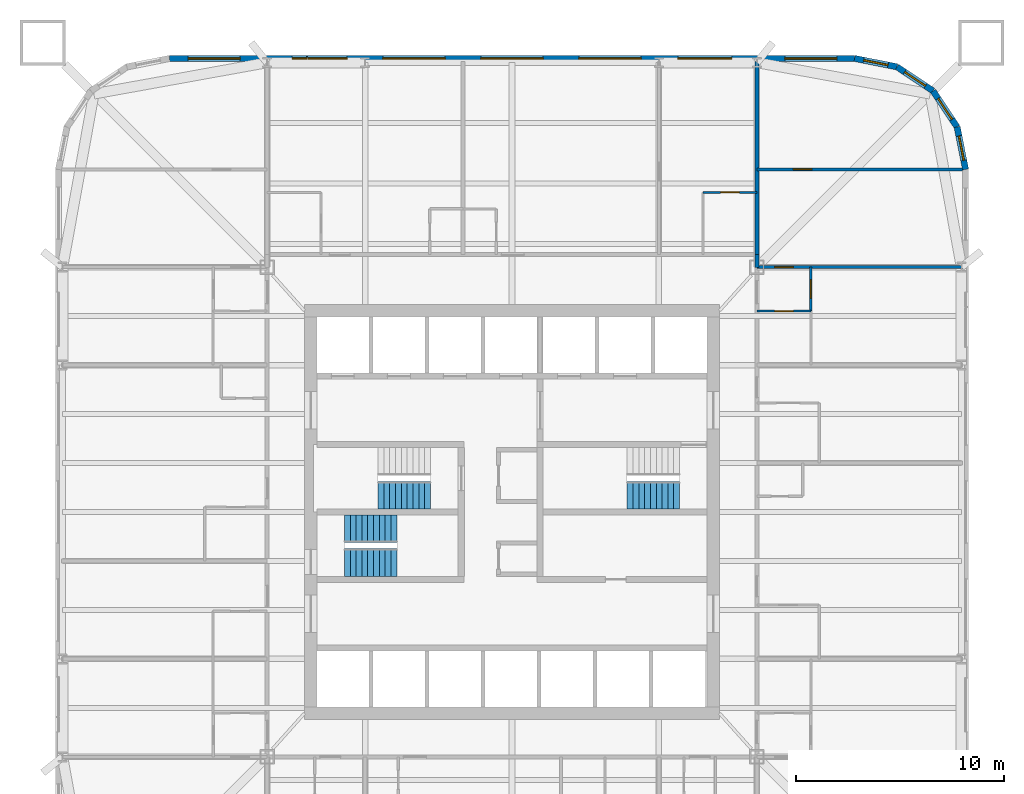
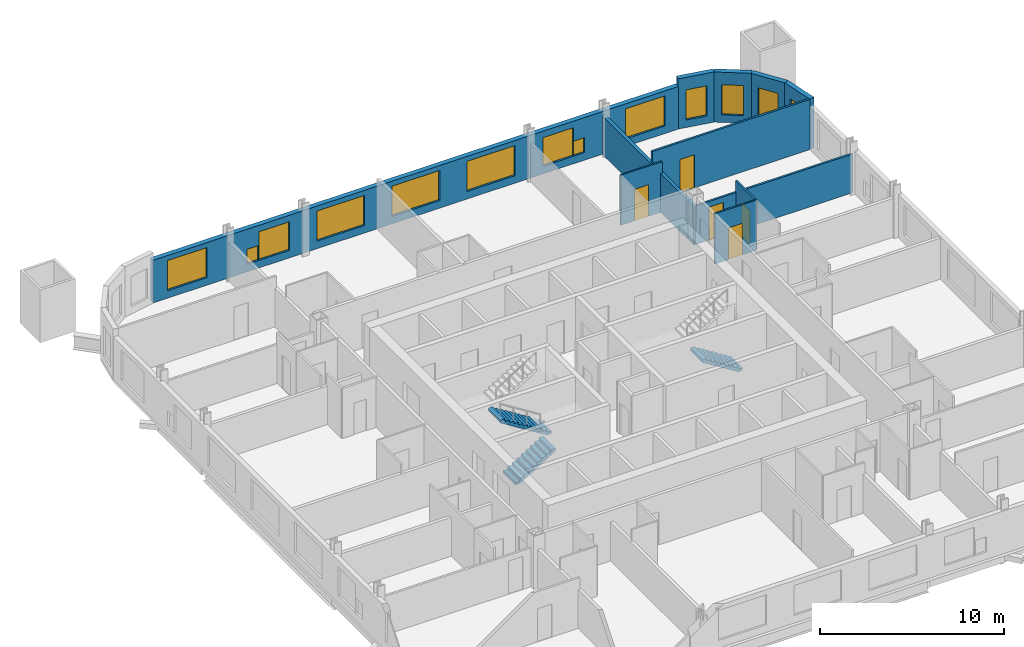
# One storey, part 8 of 10: 13 windows, 12 walls, 5 doors, 4 stair flights, 18 openings, 3 elements without a shape of their own.
"""IFC4 building model written with IfcOpenShell, lengths in metres."""

import ifcopenshell
import ifcopenshell.guid

model = None  # the IFC model being written
_history = None  # IfcOwnerHistory: only IFC2X3 demands one
_inside = {}  # id of a spatial element -> (the spatial element, [elements in it])
_under = {}  # id of a project, library or spatial element -> (it, [spatial elements below it])
_declared = {}  # id of a project -> (the project, [libraries it declares])
_typed = {}  # id of a type object -> (the type object, [elements of that type])
_made_of = {}  # id of a material, layer set ... -> (it, [elements and type objects made of it])


def new_model(schema):
    """Start an empty IFC model of exactly this schema.

    Asked for "IFC4X3", IfcOpenShell would pick the latest addendum, in which some entities
    have other attributes; the version numbers below select the first issue.
    IFC2X3 requires an IfcOwnerHistory on every rooted entity: one is made here for all.
    """
    global model, _history
    if schema == "IFC4X3":
        model = ifcopenshell.file(schema_version=(4, 3, 0, 0))
    else:
        model = ifcopenshell.file(schema=schema)
    _inside.clear()
    _under.clear()
    _declared.clear()
    _typed.clear()
    _made_of.clear()
    _history = None
    if model.schema == "IFC2X3":
        org = make("IfcOrganization", Name="unknown")
        user = make(
            "IfcPersonAndOrganization",
            ThePerson=make("IfcPerson", FamilyName="unknown"),
            TheOrganization=org,
        )
        app = make(
            "IfcApplication",
            ApplicationDeveloper=org,
            Version="unknown",
            ApplicationFullName="unknown",
            ApplicationIdentifier="unknown",
        )
        _history = make(
            "IfcOwnerHistory",
            OwningUser=user,
            OwningApplication=app,
            ChangeAction="ADDED",
            CreationDate=0,
        )
    return model


def make(cls, **values):
    """One entity of the class cls with the attributes given. An attribute that is None is left unset."""
    return model.create_entity(
        cls, **{name: value for name, value in values.items() if value is not None}
    )


def rooted(cls, **values):
    """An entity with a GlobalId (a new one), such as an element, a storey or a relation."""
    return make(cls, GlobalId=ifcopenshell.guid.new(), OwnerHistory=_history, **values)


def si_unit(unit_type, name, prefix=None):
    """IfcSIUnit, for example si_unit("LENGTHUNIT", "METRE", prefix="MILLI")."""
    return make("IfcSIUnit", UnitType=unit_type, Prefix=prefix, Name=name)


def assignment(units):
    """IfcUnitAssignment: the units of a project."""
    return None if units is None else make("IfcUnitAssignment", Units=units)


def point(xyz):
    """IfcCartesianPoint."""
    return None if xyz is None else make("IfcCartesianPoint", Coordinates=xyz)


def direction(xyz):
    """IfcDirection."""
    return None if xyz is None else make("IfcDirection", DirectionRatios=xyz)


def frame(location, z_axis=None, x_axis=None):
    """IfcAxis2Placement3D, a coordinate frame: its origin and axes. An axis left out is left unset."""
    return make(
        "IfcAxis2Placement3D",
        Location=point(location),
        Axis=direction(z_axis),
        RefDirection=direction(x_axis),
    )


def frame_2d(location, x_axis=None):
    """IfcAxis2Placement2D, a coordinate frame in the plane: its origin and x axis."""
    return make(
        "IfcAxis2Placement2D", Location=point(location), RefDirection=direction(x_axis)
    )


def origin():
    """The frame at (0, 0, 0) with its axes left unset."""
    return frame((0.0, 0.0, 0.0))


def place(relative_to, where):
    """IfcLocalPlacement: puts the frame where relative to a parent placement (None: the world)."""
    return make(
        "IfcLocalPlacement", PlacementRelTo=relative_to, RelativePlacement=where
    )


def context(
    kind, dimensions, precision=None, world=None, true_north=None, identifier=None
):
    """IfcGeometricRepresentationContext, for example the 3D "Model" context."""
    return make(
        "IfcGeometricRepresentationContext",
        ContextIdentifier=identifier,
        ContextType=kind,
        CoordinateSpaceDimension=dimensions,
        Precision=precision,
        WorldCoordinateSystem=world,
        TrueNorth=true_north,
    )


def subcontext(parent, identifier, kind, view, scale=None):
    """IfcGeometricRepresentationSubContext, for example "Body" below "Model"."""
    return make(
        "IfcGeometricRepresentationSubContext",
        ContextIdentifier=identifier,
        ContextType=kind,
        ParentContext=parent,
        TargetScale=scale,
        TargetView=view,
    )


def project(units=None, contexts=None):
    """IfcProject with its units and contexts."""
    return rooted(
        "IfcProject",
        Name="project",
        RepresentationContexts=contexts,
        UnitsInContext=assignment(units),
    )


def spatial(cls, under=None, at=None, **own):
    """A site, building, storey or space (cls), placed at a placement, below another one or the project."""
    s = rooted(cls, ObjectPlacement=at, **own)
    if under is not None:
        _under.setdefault(under.id(), (under, []))[1].append(s)
    return s


def polyline(points):
    """IfcPolyline through the points."""
    return make("IfcPolyline", Points=[point(p) for p in points])


def profile(cls, at=None, kind="AREA", **sizes):
    """A parametric profile (cls). Its sizes go by their IFC names, for example OverallWidth=200.0."""
    return make(cls, ProfileType=kind, Position=at, **sizes)


def rectangle(**sizes):
    """IfcRectangleProfileDef."""
    return profile("IfcRectangleProfileDef", **sizes)


def outline(outer, holes=None, kind="AREA"):
    """IfcArbitraryClosedProfileDef: a profile drawn as a closed curve; with holes, ...WithVoids."""
    if holes is None:
        return make("IfcArbitraryClosedProfileDef", ProfileType=kind, OuterCurve=outer)
    return make(
        "IfcArbitraryProfileDefWithVoids",
        ProfileType=kind,
        OuterCurve=outer,
        InnerCurves=holes,
    )


def extrude(swept, where, along, depth):
    """IfcExtrudedAreaSolid: the profile swept, set in the frame where, extruded along a direction by depth."""
    return make(
        "IfcExtrudedAreaSolid",
        SweptArea=swept,
        Position=where,
        ExtrudedDirection=direction(along),
        Depth=depth,
    )


def shape(context_of_items, identifier, shape_type, items):
    """IfcShapeRepresentation: the items that make up one representation, for example the "Body"."""
    return make(
        "IfcShapeRepresentation",
        ContextOfItems=context_of_items,
        RepresentationIdentifier=identifier,
        RepresentationType=shape_type,
        Items=items,
    )


def material(Name=None, Category=None):
    """IfcMaterial."""
    return make("IfcMaterial", Name=Name, Category=Category)


def layer(
    of_material, thickness, ventilated=None, Name=None, Category=None, Priority=None
):
    """IfcMaterialLayer: one layer of a wall or slab, of a material (None: an air gap)."""
    return make(
        "IfcMaterialLayer",
        Material=of_material,
        LayerThickness=thickness,
        IsVentilated=ventilated,
        Name=Name,
        Category=Category,
        Priority=Priority,
    )


def layer_set(layers, Name=None):
    """IfcMaterialLayerSet."""
    return make("IfcMaterialLayerSet", MaterialLayers=layers, LayerSetName=Name)


def made_of(thing, what):
    """Note that an element or type object is made of a material, layer set ...; save() writes the relation."""
    if what is not None:
        _made_of.setdefault(what.id(), (what, []))[1].append(thing)
    return thing


def type_object(cls, material=None, **own):
    """A type object (cls), such as IfcWallType, which elements share."""
    return made_of(rooted(cls, **own), material)


def element(
    cls,
    number,
    at=None,
    inside=None,
    cuts=None,
    type_object=None,
    material=None,
    context=None,
    identifier="Body",
    shape_type=None,
    held_by="IfcProductDefinitionShape",
    body=None,
    shapes=None,
    **own,
):
    """One element of the class cls, such as IfcWall. Its Tag is "e" and its number.

    at: its placement. inside: the storey or other place that contains it. cuts: it is an
    opening in that element (IfcRelVoidsElement). A single representation is given by context,
    identifier, shape_type and body (its items); several are given by shapes. held_by: the class
    of the entity that holds the representations. save() writes the other relations.
    """
    e = rooted(cls, Tag="e%d" % number, ObjectPlacement=at, **own)
    if body is not None:
        shapes = [shape(context, identifier, shape_type, body)]
    if shapes is not None:
        e.Representation = make(held_by, Representations=shapes)
    if inside is not None:
        _inside.setdefault(inside.id(), (inside, []))[1].append(e)
    if cuts is not None:
        rooted(
            "IfcRelVoidsElement", RelatingBuildingElement=cuts, RelatedOpeningElement=e
        )
    if type_object is not None:
        _typed.setdefault(type_object.id(), (type_object, []))[1].append(e)
    return made_of(e, material)


def fill(opening, filler):
    """IfcRelFillsElement: the door or window that sits in an opening."""
    return rooted(
        "IfcRelFillsElement",
        RelatingOpeningElement=opening,
        RelatedBuildingElement=filler,
    )


def aggregate(whole, parts):
    """IfcRelAggregates: a whole, such as a stair, and the parts it consists of."""
    return rooted("IfcRelAggregates", RelatingObject=whole, RelatedObjects=parts)


def save(model, path):
    """Write the relations noted so far, then the file.

    IfcRelAggregates (storeys below a building ...), IfcRelContainedInSpatialStructure (elements
    in a storey), IfcRelDefinesByType, IfcRelAssociatesMaterial and IfcRelDeclares: one each for
    every whole, place, type object, material and project.
    """
    for whole, parts in _under.values():
        aggregate(whole, parts)
    for where, things in _inside.values():
        rooted(
            "IfcRelContainedInSpatialStructure",
            RelatedElements=things,
            RelatingStructure=where,
        )
    for kind, things in _typed.values():
        rooted("IfcRelDefinesByType", RelatedObjects=things, RelatingType=kind)
    for what, things in _made_of.values():
        rooted("IfcRelAssociatesMaterial", RelatedObjects=things, RelatingMaterial=what)
    for by, libraries in _declared.values():
        rooted("IfcRelDeclares", RelatingContext=by, RelatedDefinitions=libraries)
    model.write(path)


model = new_model("IFC4")

# Units and contexts
model_context = context("Model", 3, precision=1e-05, world=origin(), true_north=direction((0.0, 1.0)))
body_context = subcontext(model_context, "Body", "Model", "MODEL_VIEW")
ifc_project = project(units=[si_unit("LENGTHUNIT", "METRE"), si_unit("AREAUNIT", "SQUARE_METRE"), si_unit("VOLUMEUNIT", "CUBIC_METRE"), si_unit("PLANEANGLEUNIT", "RADIAN"), si_unit("MASSUNIT", "GRAM", prefix="KILO")], contexts=[model_context])

# Site, building, storey
site_placement = place(None, origin())
site = spatial("IfcSite", under=ifc_project, at=site_placement, CompositionType="ELEMENT")
building_placement = place(site_placement, origin())
building = spatial("IfcBuilding", under=site, at=building_placement, Name="Turquesa Mirador Hotel Tower", CompositionType="ELEMENT")
storey_placement = place(building_placement, frame((0.0, 0.0, 39.0)))
storey = spatial("IfcBuildingStorey", under=building, at=storey_placement, Name="L09", CompositionType="ELEMENT", Elevation=39.0)

# Wall, opening, door
ifc_material_1 = material(Name="Gypsum board on steel studs", Category="steel")
ifc_layer_1 = layer(ifc_material_1, 0.10009765625)
ifc_layer_set_1 = layer_set([ifc_layer_1], Name="BATHROOM WALL 100")
wall_type_1 = type_object("IfcWallType", Name="BATHROOM WALL 100", PredefinedType="PARTITIONING", material=ifc_layer_set_1)
wall_1_placement = place(storey_placement, frame((64.199951171875, 60.39990234375, 0.0), z_axis=(0.0, 0.0, 1.0), x_axis=(1.0, 0.0, 0.0)))
wall_1 = element("IfcWall", 1, at=wall_1_placement, inside=storey, type_object=wall_type_1, Name="Partition L09 026", PredefinedType="PARTITIONING", context=body_context, shape_type="SweptSolid", body=[
    extrude(rectangle(XDim=2.60009765625, YDim=0.10009765625, at=frame_2d((1.300048828125, 0.0))), origin(), (0.0, 0.0, 1.0), 3.330078125),
])
opening_1_placement = place(wall_1_placement, frame((0.85009765625, 0.0, 0.0)))
opening_1 = element("IfcOpeningElement", 2, at=opening_1_placement, cuts=wall_1, Name="Opening D02", PredefinedType="OPENING", context=body_context, shape_type="SweptSolid", body=[
    extrude(rectangle(XDim=0.89990234375, YDim=2.10009765625, at=frame_2d((0.449951171875, 1.050048828125))), frame((0.0, 0.06005859375, 0.0), z_axis=(0.0, -1.0, 0.0), x_axis=(1.0, 0.0, 0.0)), (0.0, 0.0, 1.0), 0.1201171875),
])
ifc_material_2 = material(Name="Timber veneered door", Category="wood")
door_type_1 = type_object("IfcDoorType", Name="DOOR 900X2100 EN-SUITE", OperationType="SINGLE_SWING_RIGHT", PredefinedType="DOOR", material=ifc_material_2)
door_1_placement = place(opening_1_placement, origin())
door_1 = element("IfcDoor", 3, at=door_1_placement, inside=storey, type_object=door_type_1, Name="Door 0902B", OperationType="SINGLE_SWING_RIGHT", OverallHeight=2.10009765625, OverallWidth=0.89990234375, PredefinedType="DOOR", context=body_context, shape_type="SweptSolid", body=[
    extrude(rectangle(XDim=0.89990234375, YDim=2.10009765625, at=frame_2d((0.449951171875, 1.050048828125))), frame((0.0, 0.02490234375, 0.0), z_axis=(0.0, -1.0, 0.0), x_axis=(1.0, 0.0, 0.0)), (0.0, 0.0, 1.0), 0.050048828125),
])
fill(opening_1, door_1)

wall_2_placement = place(storey_placement, frame((66.800048828125, 54.679931640625, 0.0), z_axis=(0.0, 0.0, 1.0), x_axis=(1.0, 0.0, 0.0)))
wall_2 = element("IfcWall", 4, at=wall_2_placement, inside=storey, type_object=wall_type_1, Name="Partition L09 035", PredefinedType="PARTITIONING", context=body_context, shape_type="SweptSolid", body=[
    extrude(rectangle(XDim=2.599853515625, YDim=0.10009765625, at=frame_2d((1.2998046875, 0.0))), origin(), (0.0, 0.0, 1.0), 3.330078125),
])
opening_2_placement = place(wall_2_placement, frame((0.85009765625, 0.0, 0.0)))
opening_2 = element("IfcOpeningElement", 5, at=opening_2_placement, cuts=wall_2, Name="Opening D02", PredefinedType="OPENING", context=body_context, shape_type="SweptSolid", body=[
    extrude(rectangle(XDim=0.89990234375, YDim=2.10009765625, at=frame_2d((0.449951171875, 1.050048828125))), frame((0.0, 0.06005859375, 0.0), z_axis=(0.0, -1.0, 0.0), x_axis=(1.0, 0.0, 0.0)), (0.0, 0.0, 1.0), 0.1201171875),
])
door_2_placement = place(opening_2_placement, origin())
door_2 = element("IfcDoor", 6, at=door_2_placement, inside=storey, type_object=door_type_1, Name="Door 0910B", OperationType="SINGLE_SWING_RIGHT", OverallHeight=2.10009765625, OverallWidth=0.89990234375, PredefinedType="DOOR", context=body_context, shape_type="SweptSolid", body=[
    extrude(rectangle(XDim=0.89990234375, YDim=2.10009765625, at=frame_2d((0.449951171875, 1.050048828125))), frame((0.0, 0.02490234375, 0.0), z_axis=(0.0, -1.0, 0.0), x_axis=(1.0, 0.0, 0.0)), (0.0, 0.0, 1.0), 0.050048828125),
])
fill(opening_2, door_2)

# Wall
ifc_material_3 = material(Name="Fire-rated gypsum board on steel studs", Category="steel")
ifc_layer_2 = layer(ifc_material_3, 0.199951171875)
ifc_layer_set_2 = layer_set([ifc_layer_2], Name="CORRIDOR WALL 200")
wall_type_2 = type_object("IfcWallType", Name="CORRIDOR WALL 200", PredefinedType="PARTITIONING", material=ifc_layer_set_2)
wall_3_placement = place(storey_placement, frame((66.800048828125, 56.780029296875, 0.0), z_axis=(0.0, 0.0, 1.0), x_axis=(0.0, 1.0, 0.0)))
element("IfcWall", 7, at=wall_3_placement, inside=storey, type_object=wall_type_2, Name="Partition L09 070", PredefinedType="PARTITIONING", context=body_context, shape_type="SweptSolid", body=[
    extrude(rectangle(XDim=0.619873046875, YDim=0.199951171875, at=frame_2d((0.31005859375, 0.0))), origin(), (0.0, 0.0, 1.0), 2.572998046875),
])

# Wall, opening, window
ifc_material_4 = material(Name="Limestone cladding on concrete block", Category="masonry")
ifc_layer_3 = layer(ifc_material_4, 0.300048828125)
ifc_layer_set_3 = layer_set([ifc_layer_3], Name="FACADE WALL 300 STONE SCREEN")
wall_type_3 = type_object("IfcWallType", Name="FACADE WALL 300 STONE SCREEN", PredefinedType="SOLIDWALL", material=ifc_layer_set_3)
wall_4_placement = place(storey_placement, frame((76.85009765625, 61.5, 0.0), z_axis=(0.0, 0.0, 1.0), x_axis=(-0.195081421501, 0.980787050784, 0.0)))
wall_4 = element("IfcWall", 8, at=wall_4_placement, inside=storey, type_object=wall_type_3, Name="Facade wall L09 05", PredefinedType="SOLIDWALL", context=body_context, shape_type="SweptSolid", body=[
    extrude(rectangle(XDim=2.08740234375, YDim=0.300048828125, at=frame_2d((1.043701171875, 0.0))), origin(), (0.0, 0.0, 1.0), 3.330078125),
])
opening_3_placement = place(wall_4_placement, frame((0.443603515625, 0.0, 0.5)))
opening_3 = element("IfcOpeningElement", 9, at=opening_3_placement, cuts=wall_4, Name="Opening WN4", PredefinedType="OPENING", context=body_context, shape_type="SweptSolid", body=[
    extrude(rectangle(XDim=1.199951171875, YDim=2.0, at=frame_2d((0.60009765625, 1.0))), frame((0.0, 0.159912109375, 0.0), z_axis=(0.0, -1.0, 0.0), x_axis=(1.0, 0.0, 0.0)), (0.0, 0.0, 1.0), 0.320068359375),
])
ifc_material_5 = material(Name="Ceramic-fritted laminated glass", Category="glass")
window_type_1 = type_object("IfcWindowType", Name="FRITTED CORNER WINDOW 1200X2000", PartitioningType="DOUBLE_PANEL_HORIZONTAL", PredefinedType="WINDOW", material=ifc_material_5)
window_1_placement = place(opening_3_placement, origin())
window_1 = element("IfcWindow", 10, at=window_1_placement, inside=storey, type_object=window_type_1, Name="Window L09", OverallHeight=2.0, OverallWidth=1.199951171875, PartitioningType="SINGLE_PANEL", PredefinedType="WINDOW", context=body_context, shape_type="SweptSolid", body=[
    extrude(rectangle(XDim=1.199951171875, YDim=2.0, at=frame_2d((0.60009765625, 1.0))), frame((0.0, 0.030029296875, 0.0), z_axis=(0.0, -1.0, 0.0), x_axis=(1.0, 0.0, 0.0)), (0.0, 0.0, 1.0), 0.06005859375),
])
fill(opening_3, window_1)

wall_5_placement = place(storey_placement, frame((76.44287109375, 63.54736328125, 0.0), z_axis=(0.0, 0.0, 1.0), x_axis=(-0.555644460423, 0.831420010345, 0.0)))
wall_5 = element("IfcWall", 11, at=wall_5_placement, inside=storey, type_object=wall_type_3, Name="Facade wall L09 06", PredefinedType="SOLIDWALL", context=body_context, shape_type="SweptSolid", body=[
    extrude(rectangle(XDim=2.08740234375, YDim=0.300048828125, at=frame_2d((1.043701171875, 0.0))), origin(), (0.0, 0.0, 1.0), 3.330078125),
])
opening_4_placement = place(wall_5_placement, frame((0.443603515625, 0.0, 0.5)))
opening_4 = element("IfcOpeningElement", 12, at=opening_4_placement, cuts=wall_5, Name="Opening WN4", PredefinedType="OPENING", context=body_context, shape_type="SweptSolid", body=[
    extrude(rectangle(XDim=1.199951171875, YDim=2.0, at=frame_2d((0.60009765625, 1.0))), frame((0.0, 0.159912109375, 0.0), z_axis=(0.0, -1.0, 0.0), x_axis=(1.0, 0.0, 0.0)), (0.0, 0.0, 1.0), 0.320068359375),
])
window_2_placement = place(opening_4_placement, origin())
window_2 = element("IfcWindow", 13, at=window_2_placement, inside=storey, type_object=window_type_1, Name="Window L09", OverallHeight=2.0, OverallWidth=1.199951171875, PartitioningType="SINGLE_PANEL", PredefinedType="WINDOW", context=body_context, shape_type="SweptSolid", body=[
    extrude(rectangle(XDim=1.199951171875, YDim=2.0, at=frame_2d((0.60009765625, 1.0))), frame((0.0, 0.030029296875, 0.0), z_axis=(0.0, -1.0, 0.0), x_axis=(1.0, 0.0, 0.0)), (0.0, 0.0, 1.0), 0.06005859375),
])
fill(opening_4, window_2)

wall_6_placement = place(storey_placement, frame((75.282958984375, 65.282958984375, 0.0), z_axis=(0.0, 0.0, 1.0), x_axis=(-0.831420010345, 0.555644460423, 0.0)))
wall_6 = element("IfcWall", 14, at=wall_6_placement, inside=storey, type_object=wall_type_3, Name="Facade wall L09 07", PredefinedType="SOLIDWALL", context=body_context, shape_type="SweptSolid", body=[
    extrude(rectangle(XDim=2.08740234375, YDim=0.300048828125, at=frame_2d((1.043701171875, 0.0))), origin(), (0.0, 0.0, 1.0), 3.330078125),
])
opening_5_placement = place(wall_6_placement, frame((0.443603515625, 0.0, 0.5)))
opening_5 = element("IfcOpeningElement", 15, at=opening_5_placement, cuts=wall_6, Name="Opening WN4", PredefinedType="OPENING", context=body_context, shape_type="SweptSolid", body=[
    extrude(rectangle(XDim=1.199951171875, YDim=2.0, at=frame_2d((0.60009765625, 1.0))), frame((0.0, 0.159912109375, 0.0), z_axis=(0.0, -1.0, 0.0), x_axis=(1.0, 0.0, 0.0)), (0.0, 0.0, 1.0), 0.320068359375),
])
window_3_placement = place(opening_5_placement, origin())
window_3 = element("IfcWindow", 16, at=window_3_placement, inside=storey, type_object=window_type_1, Name="Window L09", OverallHeight=2.0, OverallWidth=1.199951171875, PartitioningType="SINGLE_PANEL", PredefinedType="WINDOW", context=body_context, shape_type="SweptSolid", body=[
    extrude(rectangle(XDim=1.199951171875, YDim=2.0, at=frame_2d((0.60009765625, 1.0))), frame((0.0, 0.030029296875, 0.0), z_axis=(0.0, -1.0, 0.0), x_axis=(1.0, 0.0, 0.0)), (0.0, 0.0, 1.0), 0.06005859375),
])
fill(opening_5, window_3)

wall_7_placement = place(storey_placement, frame((73.54736328125, 66.44287109375, 0.0), z_axis=(0.0, 0.0, 1.0), x_axis=(-0.980787050784, 0.195081421501, 0.0)))
wall_7 = element("IfcWall", 17, at=wall_7_placement, inside=storey, type_object=wall_type_3, Name="Facade wall L09 08", PredefinedType="SOLIDWALL", context=body_context, shape_type="SweptSolid", body=[
    extrude(rectangle(XDim=2.08740234375, YDim=0.300048828125, at=frame_2d((1.043701171875, 0.0))), origin(), (0.0, 0.0, 1.0), 3.330078125),
])
opening_6_placement = place(wall_7_placement, frame((0.443603515625, 0.0, 0.5)))
opening_6 = element("IfcOpeningElement", 18, at=opening_6_placement, cuts=wall_7, Name="Opening WN4", PredefinedType="OPENING", context=body_context, shape_type="SweptSolid", body=[
    extrude(rectangle(XDim=1.199951171875, YDim=2.0, at=frame_2d((0.60009765625, 1.0))), frame((0.0, 0.159912109375, 0.0), z_axis=(0.0, -1.0, 0.0), x_axis=(1.0, 0.0, 0.0)), (0.0, 0.0, 1.0), 0.320068359375),
])
window_4_placement = place(opening_6_placement, origin())
window_4 = element("IfcWindow", 19, at=window_4_placement, inside=storey, type_object=window_type_1, Name="Window L09", OverallHeight=2.0, OverallWidth=1.199951171875, PartitioningType="SINGLE_PANEL", PredefinedType="WINDOW", context=body_context, shape_type="SweptSolid", body=[
    extrude(rectangle(XDim=1.199951171875, YDim=2.0, at=frame_2d((0.60009765625, 1.0))), frame((0.0, 0.030029296875, 0.0), z_axis=(0.0, -1.0, 0.0), x_axis=(1.0, 0.0, 0.0)), (0.0, 0.0, 1.0), 0.06005859375),
])
fill(opening_6, window_4)

# Wall, openings, windows
wall_8_placement = place(storey_placement, frame((71.5, 66.85009765625, 0.0), z_axis=(0.0, 0.0, 1.0), x_axis=(-1.0, 0.0, 0.0)))
wall_8 = element("IfcWall", 20, at=wall_8_placement, inside=storey, type_object=wall_type_3, Name="Facade wall L09 09", PredefinedType="SOLIDWALL", context=body_context, shape_type="SweptSolid", body=[
    extrude(rectangle(XDim=33.0, YDim=0.300048828125, at=frame_2d((16.5, 0.0))), origin(), (0.0, 0.0, 1.0), 2.830078125),
])
opening_7_placement = place(wall_8_placement, frame((0.85009765625, 0.0, 0.5)))
opening_7 = element("IfcOpeningElement", 21, at=opening_7_placement, cuts=wall_8, Name="Opening WN52", PredefinedType="OPENING", context=body_context, shape_type="SweptSolid", body=[
    extrude(rectangle(XDim=2.5, YDim=2.0, at=frame_2d((1.25, 1.0))), frame((0.0, 0.159912109375, 0.0), z_axis=(0.0, -1.0, 0.0), x_axis=(1.0, 0.0, 0.0)), (0.0, 0.0, 1.0), 0.320068359375),
])
opening_8_placement = place(wall_8_placement, frame((6.610107421875, 0.0, 0.5)))
opening_8 = element("IfcOpeningElement", 22, at=opening_8_placement, cuts=wall_8, Name="Opening WN48", PredefinedType="OPENING", context=body_context, shape_type="SweptSolid", body=[
    extrude(rectangle(XDim=1.89990234375, YDim=1.89990234375, at=frame_2d((0.949951171875, 0.949951171875))), frame((0.0, 0.159912109375, 0.0), z_axis=(0.0, -1.0, 0.0), x_axis=(1.0, 0.0, 0.0)), (0.0, 0.0, 1.0), 0.320068359375),
])
opening_9_placement = place(wall_8_placement, frame((10.280029296875, 0.0, 0.5)))
opening_9 = element("IfcOpeningElement", 23, at=opening_9_placement, cuts=wall_8, Name="Opening WN1", PredefinedType="OPENING", context=body_context, shape_type="SweptSolid", body=[
    extrude(rectangle(XDim=3.0, YDim=2.0, at=frame_2d((1.5, 1.0))), frame((0.0, 0.159912109375, 0.0), z_axis=(0.0, -1.0, 0.0), x_axis=(1.0, 0.0, 0.0)), (0.0, 0.0, 1.0), 0.320068359375),
])
opening_10_placement = place(wall_8_placement, frame((15.0, 0.0, 0.5)))
opening_10 = element("IfcOpeningElement", 24, at=opening_10_placement, cuts=wall_8, Name="Opening WN1", PredefinedType="OPENING", context=body_context, shape_type="SweptSolid", body=[
    extrude(rectangle(XDim=3.0, YDim=2.0, at=frame_2d((1.5, 1.0))), frame((0.0, 0.159912109375, 0.0), z_axis=(0.0, -1.0, 0.0), x_axis=(1.0, 0.0, 0.0)), (0.0, 0.0, 1.0), 0.320068359375),
])
opening_11_placement = place(wall_8_placement, frame((19.719970703125, 0.0, 0.5)))
opening_11 = element("IfcOpeningElement", 25, at=opening_11_placement, cuts=wall_8, Name="Opening WN1", PredefinedType="OPENING", context=body_context, shape_type="SweptSolid", body=[
    extrude(rectangle(XDim=3.0, YDim=2.0, at=frame_2d((1.5, 1.0))), frame((0.0, 0.159912109375, 0.0), z_axis=(0.0, -1.0, 0.0), x_axis=(1.0, 0.0, 0.0)), (0.0, 0.0, 1.0), 0.320068359375),
])
opening_12_placement = place(wall_8_placement, frame((24.43994140625, 0.0, 0.5)))
opening_12 = element("IfcOpeningElement", 26, at=opening_12_placement, cuts=wall_8, Name="Opening WN48", PredefinedType="OPENING", context=body_context, shape_type="SweptSolid", body=[
    extrude(rectangle(XDim=1.89990234375, YDim=1.89990234375, at=frame_2d((0.949951171875, 0.949951171875))), frame((0.0, 0.159912109375, 0.0), z_axis=(0.0, -1.0, 0.0), x_axis=(1.0, 0.0, 0.0)), (0.0, 0.0, 1.0), 0.320068359375),
])
opening_13_placement = place(wall_8_placement, frame((29.60009765625, 0.0, 0.5)))
opening_13 = element("IfcOpeningElement", 27, at=opening_13_placement, cuts=wall_8, Name="Opening WN52", PredefinedType="OPENING", context=body_context, shape_type="SweptSolid", body=[
    extrude(rectangle(XDim=2.5, YDim=2.0, at=frame_2d((1.25, 1.0))), frame((0.0, 0.159912109375, 0.0), z_axis=(0.0, -1.0, 0.0), x_axis=(1.0, 0.0, 0.0)), (0.0, 0.0, 1.0), 0.320068359375),
])
opening_14_placement = place(wall_8_placement, frame((5.909912109375, 0.0, 0.5)))
opening_14 = element("IfcOpeningElement", 28, at=opening_14_placement, cuts=wall_8, Name="Opening WN32", PredefinedType="OPENING", context=body_context, shape_type="SweptSolid", body=[
    extrude(rectangle(XDim=0.699951171875, YDim=1.0, at=frame_2d((0.35009765625, 0.5))), frame((0.0, 0.159912109375, 0.0), z_axis=(0.0, -1.0, 0.0), x_axis=(1.0, 0.0, 0.0)), (0.0, 0.0, 1.0), 0.320068359375),
])
opening_15_placement = place(wall_8_placement, frame((26.389892578125, 0.0, 0.5)))
opening_15 = element("IfcOpeningElement", 29, at=opening_15_placement, cuts=wall_8, Name="Opening WN32", PredefinedType="OPENING", context=body_context, shape_type="SweptSolid", body=[
    extrude(rectangle(XDim=0.699951171875, YDim=1.0, at=frame_2d((0.35009765625, 0.5))), frame((0.0, 0.159912109375, 0.0), z_axis=(0.0, -1.0, 0.0), x_axis=(1.0, 0.0, 0.0)), (0.0, 0.0, 1.0), 0.320068359375),
])
ifc_material_6 = material(Name="Ceramic-fritted laminated glass", Category="glass")
window_type_2 = type_object("IfcWindowType", Name="FRITTED WINDOW 1900X1900", PartitioningType="DOUBLE_PANEL_HORIZONTAL", PredefinedType="WINDOW", material=ifc_material_6)
window_5_placement = place(opening_8_placement, origin())
window_5 = element("IfcWindow", 30, at=window_5_placement, inside=storey, type_object=window_type_2, Name="Window L09", OverallHeight=1.89990234375, OverallWidth=1.89990234375, PartitioningType="SINGLE_PANEL", PredefinedType="WINDOW", context=body_context, shape_type="SweptSolid", body=[
    extrude(rectangle(XDim=1.89990234375, YDim=1.89990234375, at=frame_2d((0.949951171875, 0.949951171875))), frame((0.0, 0.030029296875, 0.0), z_axis=(0.0, -1.0, 0.0), x_axis=(1.0, 0.0, 0.0)), (0.0, 0.0, 1.0), 0.06005859375),
])
fill(opening_8, window_5)
window_6_placement = place(opening_12_placement, origin())
window_6 = element("IfcWindow", 31, at=window_6_placement, inside=storey, type_object=window_type_2, Name="Window L09", OverallHeight=1.89990234375, OverallWidth=1.89990234375, PartitioningType="SINGLE_PANEL", PredefinedType="WINDOW", context=body_context, shape_type="SweptSolid", body=[
    extrude(rectangle(XDim=1.89990234375, YDim=1.89990234375, at=frame_2d((0.949951171875, 0.949951171875))), frame((0.0, 0.030029296875, 0.0), z_axis=(0.0, -1.0, 0.0), x_axis=(1.0, 0.0, 0.0)), (0.0, 0.0, 1.0), 0.06005859375),
])
fill(opening_12, window_6)
ifc_material_7 = material(Name="Ceramic-fritted laminated glass", Category="glass")
window_type_3 = type_object("IfcWindowType", Name="FRITTED WINDOW 2500X2000", PartitioningType="DOUBLE_PANEL_HORIZONTAL", PredefinedType="WINDOW", material=ifc_material_7)
window_7_placement = place(opening_7_placement, origin())
window_7 = element("IfcWindow", 32, at=window_7_placement, inside=storey, type_object=window_type_3, Name="Window L09", OverallHeight=2.0, OverallWidth=2.5, PartitioningType="SINGLE_PANEL", PredefinedType="WINDOW", context=body_context, shape_type="SweptSolid", body=[
    extrude(rectangle(XDim=2.5, YDim=2.0, at=frame_2d((1.25, 1.0))), frame((0.0, 0.030029296875, 0.0), z_axis=(0.0, -1.0, 0.0), x_axis=(1.0, 0.0, 0.0)), (0.0, 0.0, 1.0), 0.06005859375),
])
fill(opening_7, window_7)
window_8_placement = place(opening_13_placement, origin())
window_8 = element("IfcWindow", 33, at=window_8_placement, inside=storey, type_object=window_type_3, Name="Window L09", OverallHeight=2.0, OverallWidth=2.5, PartitioningType="SINGLE_PANEL", PredefinedType="WINDOW", context=body_context, shape_type="SweptSolid", body=[
    extrude(rectangle(XDim=2.5, YDim=2.0, at=frame_2d((1.25, 1.0))), frame((0.0, 0.030029296875, 0.0), z_axis=(0.0, -1.0, 0.0), x_axis=(1.0, 0.0, 0.0)), (0.0, 0.0, 1.0), 0.06005859375),
])
fill(opening_13, window_8)
ifc_material_8 = material(Name="Ceramic-fritted laminated glass", Category="glass")
window_type_4 = type_object("IfcWindowType", Name="FRITTED WINDOW 3000X2000", PartitioningType="DOUBLE_PANEL_HORIZONTAL", PredefinedType="WINDOW", material=ifc_material_8)
window_9_placement = place(opening_9_placement, origin())
window_9 = element("IfcWindow", 34, at=window_9_placement, inside=storey, type_object=window_type_4, Name="Window L09", OverallHeight=2.0, OverallWidth=3.0, PartitioningType="SINGLE_PANEL", PredefinedType="WINDOW", context=body_context, shape_type="SweptSolid", body=[
    extrude(rectangle(XDim=3.0, YDim=2.0, at=frame_2d((1.5, 1.0))), frame((0.0, 0.030029296875, 0.0), z_axis=(0.0, -1.0, 0.0), x_axis=(1.0, 0.0, 0.0)), (0.0, 0.0, 1.0), 0.06005859375),
])
fill(opening_9, window_9)
window_10_placement = place(opening_10_placement, origin())
window_10 = element("IfcWindow", 35, at=window_10_placement, inside=storey, type_object=window_type_4, Name="Window L09", OverallHeight=2.0, OverallWidth=3.0, PartitioningType="SINGLE_PANEL", PredefinedType="WINDOW", context=body_context, shape_type="SweptSolid", body=[
    extrude(rectangle(XDim=3.0, YDim=2.0, at=frame_2d((1.5, 1.0))), frame((0.0, 0.030029296875, 0.0), z_axis=(0.0, -1.0, 0.0), x_axis=(1.0, 0.0, 0.0)), (0.0, 0.0, 1.0), 0.06005859375),
])
fill(opening_10, window_10)
window_11_placement = place(opening_11_placement, origin())
window_11 = element("IfcWindow", 36, at=window_11_placement, inside=storey, type_object=window_type_4, Name="Window L09", OverallHeight=2.0, OverallWidth=3.0, PartitioningType="SINGLE_PANEL", PredefinedType="WINDOW", context=body_context, shape_type="SweptSolid", body=[
    extrude(rectangle(XDim=3.0, YDim=2.0, at=frame_2d((1.5, 1.0))), frame((0.0, 0.030029296875, 0.0), z_axis=(0.0, -1.0, 0.0), x_axis=(1.0, 0.0, 0.0)), (0.0, 0.0, 1.0), 0.06005859375),
])
fill(opening_11, window_11)
ifc_material_9 = material(Name="Ceramic-fritted laminated glass", Category="glass")
window_type_5 = type_object("IfcWindowType", Name="FRITTED WINDOW 700X1000", PartitioningType="DOUBLE_PANEL_HORIZONTAL", PredefinedType="WINDOW", material=ifc_material_9)
window_12_placement = place(opening_14_placement, origin())
window_12 = element("IfcWindow", 37, at=window_12_placement, inside=storey, type_object=window_type_5, Name="Window L09", OverallHeight=1.0, OverallWidth=0.699951171875, PartitioningType="SINGLE_PANEL", PredefinedType="WINDOW", context=body_context, shape_type="SweptSolid", body=[
    extrude(rectangle(XDim=0.699951171875, YDim=1.0, at=frame_2d((0.35009765625, 0.5))), frame((0.0, 0.030029296875, 0.0), z_axis=(0.0, -1.0, 0.0), x_axis=(1.0, 0.0, 0.0)), (0.0, 0.0, 1.0), 0.06005859375),
])
fill(opening_14, window_12)
window_13_placement = place(opening_15_placement, origin())
window_13 = element("IfcWindow", 38, at=window_13_placement, inside=storey, type_object=window_type_5, Name="Window L09", OverallHeight=1.0, OverallWidth=0.699951171875, PartitioningType="SINGLE_PANEL", PredefinedType="WINDOW", context=body_context, shape_type="SweptSolid", body=[
    extrude(rectangle(XDim=0.699951171875, YDim=1.0, at=frame_2d((0.35009765625, 0.5))), frame((0.0, 0.030029296875, 0.0), z_axis=(0.0, -1.0, 0.0), x_axis=(1.0, 0.0, 0.0)), (0.0, 0.0, 1.0), 0.06005859375),
])
fill(opening_15, window_13)

# Wall
ifc_material_10 = material(Name="Fire-rated gypsum board on steel studs", Category="steel")
ifc_layer_4 = layer(ifc_material_10, 0.199951171875)
ifc_layer_set_4 = layer_set([ifc_layer_4], Name="PARTY WALL 200")
wall_type_4 = type_object("IfcWallType", Name="PARTY WALL 200", PredefinedType="PARTITIONING", material=ifc_layer_set_4)
wall_9_placement = place(storey_placement, frame((66.800048828125, 57.39990234375, 0.0), z_axis=(0.0, 0.0, 1.0), x_axis=(0.0, 1.0, 0.0)))
element("IfcWall", 39, at=wall_9_placement, inside=storey, type_object=wall_type_4, Name="Partition L09 054", PredefinedType="PARTITIONING", context=body_context, shape_type="SweptSolid", body=[
    extrude(rectangle(XDim=9.300048828125, YDim=0.199951171875, at=frame_2d((4.64990234375, 0.0))), origin(), (0.0, 0.0, 1.0), 2.572998046875),
])

# Wall, opening, door
ifc_material_11 = material(Name="Acoustic gypsum board on steel studs", Category="steel")
ifc_layer_5 = layer(ifc_material_11, 0.125)
ifc_layer_set_5 = layer_set([ifc_layer_5], Name="SUITE PARTITION 125")
wall_type_5 = type_object("IfcWallType", Name="SUITE PARTITION 125", PredefinedType="PARTITIONING", material=ifc_layer_set_5)
wall_10_placement = place(storey_placement, frame((66.800048828125, 56.800048828125, 0.0), z_axis=(0.0, 0.0, 1.0), x_axis=(1.0, 0.0, 0.0)))
wall_10 = element("IfcWall", 40, at=wall_10_placement, inside=storey, type_object=wall_type_5, Name="Partition L09 021", PredefinedType="PARTITIONING", context=body_context, shape_type="SweptSolid", body=[
    extrude(rectangle(XDim=9.89990234375, YDim=0.125, at=frame_2d((4.949951171875, 0.0))), origin(), (0.0, 0.0, 1.0), 2.572998046875),
])
opening_16_placement = place(wall_10_placement, frame((0.85009765625, 0.0, 0.0)))
opening_16 = element("IfcOpeningElement", 41, at=opening_16_placement, cuts=wall_10, Name="Opening D17", PredefinedType="OPENING", context=body_context, shape_type="SweptSolid", body=[
    extrude(rectangle(XDim=0.89990234375, YDim=2.199951171875, at=frame_2d((0.449951171875, 1.10009765625))), frame((0.0, 0.072509765625, 0.0), z_axis=(0.0, -1.0, 0.0), x_axis=(1.0, 0.0, 0.0)), (0.0, 0.0, 1.0), 0.14501953125),
])
ifc_material_12 = material(Name="Timber veneered door", Category="wood")
door_type_2 = type_object("IfcDoorType", Name="DOOR 900X2200 SUITE INTERNAL", OperationType="SINGLE_SWING_LEFT", PredefinedType="DOOR", material=ifc_material_12)
door_3_placement = place(opening_16_placement, origin())
door_3 = element("IfcDoor", 42, at=door_3_placement, inside=storey, type_object=door_type_2, Name="Door 0910", OperationType="SINGLE_SWING_LEFT", OverallHeight=2.199951171875, OverallWidth=0.89990234375, PredefinedType="DOOR", context=body_context, shape_type="SweptSolid", body=[
    extrude(rectangle(XDim=0.89990234375, YDim=2.199951171875, at=frame_2d((0.449951171875, 1.10009765625))), frame((0.0, 0.02490234375, 0.0), z_axis=(0.0, -1.0, 0.0), x_axis=(1.0, 0.0, 0.0)), (0.0, 0.0, 1.0), 0.050048828125),
])
fill(opening_16, door_3)

wall_11_placement = place(storey_placement, frame((66.800048828125, 61.5, 0.0), z_axis=(0.0, 0.0, 1.0), x_axis=(1.0, 0.0, 0.0)))
wall_11 = element("IfcWall", 43, at=wall_11_placement, inside=storey, type_object=wall_type_5, Name="Partition L09 028", PredefinedType="PARTITIONING", context=body_context, shape_type="SweptSolid", body=[
    extrude(rectangle(XDim=9.89404296875, YDim=0.125, at=frame_2d((4.947021484375, 0.0))), origin(), (0.0, 0.0, 1.0), 3.330078125),
])
opening_17_placement = place(wall_11_placement, frame((1.75, 0.0, 0.0)))
opening_17 = element("IfcOpeningElement", 44, at=opening_17_placement, cuts=wall_11, Name="Opening D17", PredefinedType="OPENING", context=body_context, shape_type="SweptSolid", body=[
    extrude(rectangle(XDim=0.89990234375, YDim=2.199951171875, at=frame_2d((0.449951171875, 1.10009765625))), frame((0.0, 0.072509765625, 0.0), z_axis=(0.0, -1.0, 0.0), x_axis=(1.0, 0.0, 0.0)), (0.0, 0.0, 1.0), 0.14501953125),
])
door_4_placement = place(opening_17_placement, origin())
door_4 = element("IfcDoor", 45, at=door_4_placement, inside=storey, type_object=door_type_2, Name="Door 0910M", OperationType="SINGLE_SWING_LEFT", OverallHeight=2.199951171875, OverallWidth=0.89990234375, PredefinedType="DOOR", context=body_context, shape_type="SweptSolid", body=[
    extrude(rectangle(XDim=0.89990234375, YDim=2.199951171875, at=frame_2d((0.449951171875, 1.10009765625))), frame((0.0, 0.02490234375, 0.0), z_axis=(0.0, -1.0, 0.0), x_axis=(1.0, 0.0, 0.0)), (0.0, 0.0, 1.0), 0.050048828125),
])
fill(opening_17, door_4)

wall_12_placement = place(storey_placement, frame((69.39990234375, 54.679931640625, 0.0), z_axis=(0.0, 0.0, 1.0), x_axis=(0.0, 1.0, 0.0)))
wall_12 = element("IfcWall", 46, at=wall_12_placement, inside=storey, type_object=wall_type_5, Name="Partition L09 059", PredefinedType="PARTITIONING", context=body_context, shape_type="SweptSolid", body=[
    extrude(rectangle(XDim=2.1201171875, YDim=0.125, at=frame_2d((1.06005859375, 0.0))), origin(), (0.0, 0.0, 1.0), 3.330078125),
])
opening_18_placement = place(wall_12_placement, frame((0.610107421875, 0.0, 0.0)))
opening_18 = element("IfcOpeningElement", 47, at=opening_18_placement, cuts=wall_12, Name="Opening D17", PredefinedType="OPENING", context=body_context, shape_type="SweptSolid", body=[
    extrude(rectangle(XDim=0.89990234375, YDim=2.199951171875, at=frame_2d((0.449951171875, 1.10009765625))), frame((0.0, 0.072509765625, 0.0), z_axis=(0.0, -1.0, 0.0), x_axis=(1.0, 0.0, 0.0)), (0.0, 0.0, 1.0), 0.14501953125),
])
door_5_placement = place(opening_18_placement, origin())
door_5 = element("IfcDoor", 48, at=door_5_placement, inside=storey, type_object=door_type_2, Name="Door 0910R", OperationType="SINGLE_SWING_LEFT", OverallHeight=2.199951171875, OverallWidth=0.89990234375, PredefinedType="DOOR", context=body_context, shape_type="SweptSolid", body=[
    extrude(rectangle(XDim=0.89990234375, YDim=2.199951171875, at=frame_2d((0.449951171875, 1.10009765625))), frame((0.0, 0.02490234375, 0.0), z_axis=(0.0, -1.0, 0.0), x_axis=(1.0, 0.0, 0.0)), (0.0, 0.0, 1.0), 0.050048828125),
])
fill(opening_18, door_5)

# Stair, stair flight
ifc_material_13 = material(Name="Concrete C35/45", Category="concrete")
stair_type = type_object("IfcStairType", Name="ESCAPE STAIR CORE", PredefinedType="HALF_TURN_STAIR", material=ifc_material_13)
stair_1_placement = place(storey_placement, origin())
stair_1 = element("IfcStair", 49, at=stair_1_placement, inside=storey, type_object=stair_type, Name="Stair ST1 L09 to L10", PredefinedType="HALF_TURN_STAIR")
ifc_material_14 = material(Name="Concrete C35/45 precast flight", Category="concrete")
stair_flight_type = type_object("IfcStairFlightType", Name="STAIR FLIGHT 1330", PredefinedType="STRAIGHT", material=ifc_material_14)
stair_flight_1_placement = place(storey_placement, frame((51.070068359375, 45.81494140625, 0.0), z_axis=(0.0, 0.0, 1.0), x_axis=(-1.0, 0.0, 0.0)))
stair_flight_1 = element("IfcStairFlight", 50, at=stair_flight_1_placement, type_object=stair_flight_type, Name="ST1 flight 1", NumberOfRisers=10, NumberOfTreads=9, PredefinedType="STRAIGHT", RiserHeight=0.175, TreadLength=0.28, context=body_context, shape_type="SweptSolid", body=[
    extrude(outline(polyline([(0.0, 0.0), (0.0, 0.175048828125), (0.280029296875, 0.175048828125), (0.280029296875, 0.35009765625), (0.56005859375, 0.35009765625), (0.56005859375, 0.52490234375), (0.840087890625, 0.52490234375), (0.840087890625, 0.699951171875), (1.1201171875, 0.699951171875), (1.1201171875, 0.875), (1.39990234375, 0.875), (1.39990234375, 1.050048828125), (1.679931640625, 1.050048828125), (1.679931640625, 1.22509765625), (1.9599609375, 1.22509765625), (1.9599609375, 1.39990234375), (2.239990234375, 1.39990234375), (2.239990234375, 1.574951171875), (2.52001953125, 1.574951171875), (2.52001953125, 1.75), (2.52001953125, 1.398193359375), (0.28271484375, 0.0), (0.0, 0.0)])), frame((0.0, 0.6650390625, 0.0), z_axis=(0.0, -1.0, 0.0), x_axis=(1.0, 0.0, 0.0)), (0.0, 0.0, 1.0), 1.330078125),
])
aggregate(stair_1, [stair_flight_1])

# Stair, stair flights
stair_2_placement = place(storey_placement, origin())
stair_2 = element("IfcStair", 51, at=stair_2_placement, inside=storey, type_object=stair_type, Name="Stair ST2 L09 to L10", PredefinedType="HALF_TURN_STAIR")
stair_flight_2_placement = place(storey_placement, frame((46.929931640625, 42.56494140625, 0.0), z_axis=(0.0, 0.0, 1.0), x_axis=(1.0, 0.0, 0.0)))
stair_flight_2 = element("IfcStairFlight", 52, at=stair_flight_2_placement, type_object=stair_flight_type, Name="ST2 flight 1", NumberOfRisers=10, NumberOfTreads=9, PredefinedType="STRAIGHT", RiserHeight=0.175, TreadLength=0.28, context=body_context, shape_type="SweptSolid", body=[
    extrude(outline(polyline([(0.0, 0.0), (0.0, 0.175048828125), (0.280029296875, 0.175048828125), (0.280029296875, 0.35009765625), (0.56005859375, 0.35009765625), (0.56005859375, 0.52490234375), (0.840087890625, 0.52490234375), (0.840087890625, 0.699951171875), (1.1201171875, 0.699951171875), (1.1201171875, 0.875), (1.39990234375, 0.875), (1.39990234375, 1.050048828125), (1.679931640625, 1.050048828125), (1.679931640625, 1.22509765625), (1.9599609375, 1.22509765625), (1.9599609375, 1.39990234375), (2.239990234375, 1.39990234375), (2.239990234375, 1.574951171875), (2.52001953125, 1.574951171875), (2.52001953125, 1.75), (2.52001953125, 1.398193359375), (0.28271484375, 0.0), (0.0, 0.0)])), frame((0.0, 0.6650390625, 0.0), z_axis=(0.0, -1.0, 0.0), x_axis=(1.0, 0.0, 0.0)), (0.0, 0.0, 1.0), 1.330078125),
])
stair_flight_3_placement = place(storey_placement, frame((49.449951171875, 44.18505859375, 1.75), z_axis=(0.0, 0.0, 1.0), x_axis=(-1.0, 0.0, 0.0)))
stair_flight_3 = element("IfcStairFlight", 53, at=stair_flight_3_placement, type_object=stair_flight_type, Name="ST2 flight 2", NumberOfRisers=10, NumberOfTreads=9, PredefinedType="STRAIGHT", RiserHeight=0.175, TreadLength=0.28, context=body_context, shape_type="SweptSolid", body=[
    extrude(outline(polyline([(0.0, 0.0), (0.0, 0.175048828125), (0.280029296875, 0.175048828125), (0.280029296875, 0.35009765625), (0.56005859375, 0.35009765625), (0.56005859375, 0.52490234375), (0.840087890625, 0.52490234375), (0.840087890625, 0.699951171875), (1.1201171875, 0.699951171875), (1.1201171875, 0.875), (1.39990234375, 0.875), (1.39990234375, 1.050048828125), (1.679931640625, 1.050048828125), (1.679931640625, 1.22509765625), (1.9599609375, 1.22509765625), (1.9599609375, 1.39990234375), (2.239990234375, 1.39990234375), (2.239990234375, 1.574951171875), (2.52001953125, 1.574951171875), (2.52001953125, 1.75), (2.52001953125, 1.398193359375), (0.28271484375, 0.0), (0.0, 0.0)])), frame((0.0, 0.6650390625, 0.0), z_axis=(0.0, -1.0, 0.0), x_axis=(1.0, 0.0, 0.0)), (0.0, 0.0, 1.0), 1.330078125),
])
aggregate(stair_2, [stair_flight_2, stair_flight_3])

# Stair, stair flight
stair_3_placement = place(storey_placement, origin())
stair_3 = element("IfcStair", 54, at=stair_3_placement, inside=storey, type_object=stair_type, Name="Stair ST3 L09 to L10", PredefinedType="HALF_TURN_STAIR")
stair_flight_4_placement = place(storey_placement, frame((63.070068359375, 45.81494140625, 0.0), z_axis=(0.0, 0.0, 1.0), x_axis=(-1.0, 0.0, 0.0)))
stair_flight_4 = element("IfcStairFlight", 55, at=stair_flight_4_placement, type_object=stair_flight_type, Name="ST3 flight 1", NumberOfRisers=10, NumberOfTreads=9, PredefinedType="STRAIGHT", RiserHeight=0.175, TreadLength=0.28, context=body_context, shape_type="SweptSolid", body=[
    extrude(outline(polyline([(0.0, 0.0), (0.0, 0.175048828125), (0.280029296875, 0.175048828125), (0.280029296875, 0.35009765625), (0.56005859375, 0.35009765625), (0.56005859375, 0.52490234375), (0.840087890625, 0.52490234375), (0.840087890625, 0.699951171875), (1.1201171875, 0.699951171875), (1.1201171875, 0.875), (1.39990234375, 0.875), (1.39990234375, 1.050048828125), (1.679931640625, 1.050048828125), (1.679931640625, 1.22509765625), (1.9599609375, 1.22509765625), (1.9599609375, 1.39990234375), (2.239990234375, 1.39990234375), (2.239990234375, 1.574951171875), (2.52001953125, 1.574951171875), (2.52001953125, 1.75), (2.52001953125, 1.398193359375), (0.28271484375, 0.0), (0.0, 0.0)])), frame((0.0, 0.6650390625, 0.0), z_axis=(0.0, -1.0, 0.0), x_axis=(1.0, 0.0, 0.0)), (0.0, 0.0, 1.0), 1.330078125),
])
aggregate(stair_3, [stair_flight_4])

save(model, "model.ifc")
